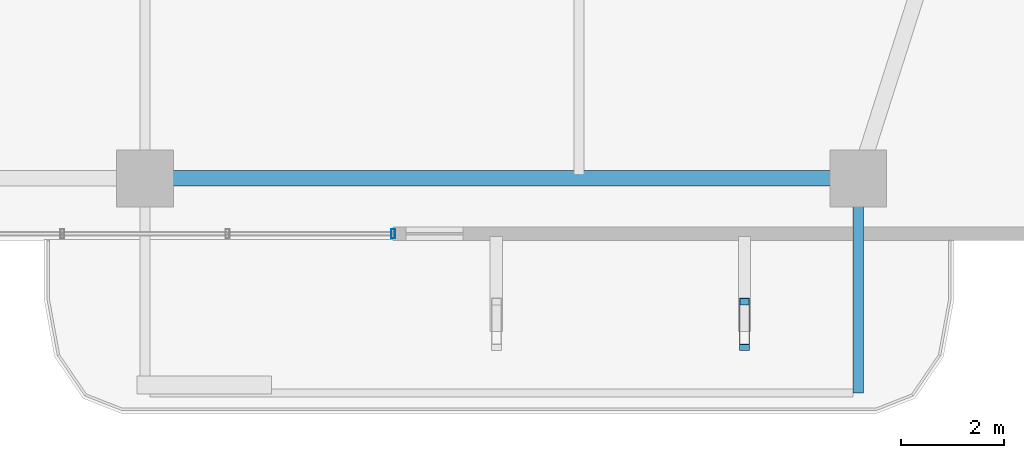
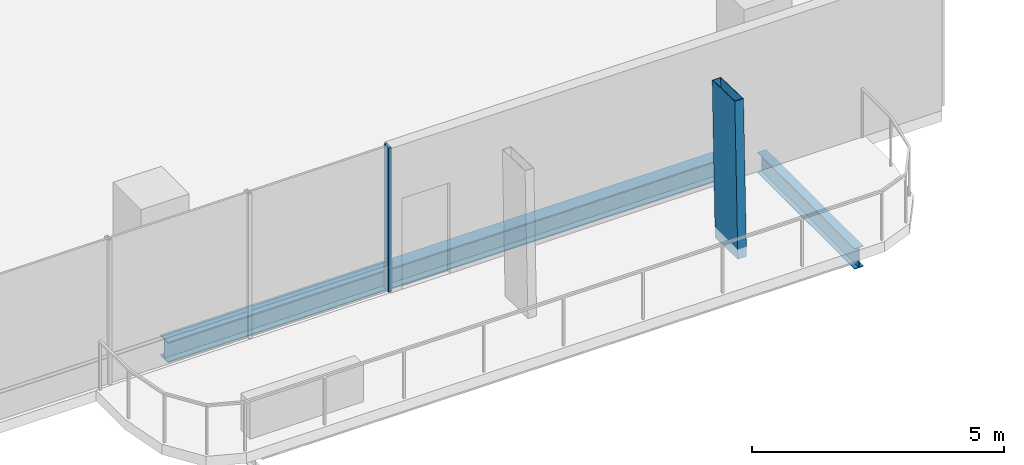
# One storey, part 8 of 24: 2 beams, 2 members, 1 element without a shape of its own.
"""IFC4 building model written with IfcOpenShell, lengths in metres."""

from ifc_helpers import new_model, si_unit, direction, frame, origin, origin_2d, place, context, subcontext, project, spatial, hollow_rectangle, i_section, extrude, material, layer, layer_set, material_profile, profile_set, type_object, element, aggregate, save


model = new_model("IFC4")

# Units and contexts
model_context = context("Model", 3, precision=1e-05, world=origin(), true_north=direction((0.0, 1.0)))
body_context = subcontext(model_context, "Body", "Model", "MODEL_VIEW")
ifc_project = project(units=[si_unit("LENGTHUNIT", "METRE"), si_unit("AREAUNIT", "SQUARE_METRE"), si_unit("VOLUMEUNIT", "CUBIC_METRE"), si_unit("PLANEANGLEUNIT", "RADIAN"), si_unit("MASSUNIT", "GRAM", prefix="KILO")], contexts=[model_context])

# Site, building, storey
site_placement = place(None, origin())
site = spatial("IfcSite", under=ifc_project, at=site_placement, CompositionType="ELEMENT")
building_placement = place(site_placement, origin())
building = spatial("IfcBuilding", under=site, at=building_placement, Name="Belovzor Exchange Tower", CompositionType="ELEMENT")
storey_placement = place(building_placement, frame((0.0, 0.0, 145.800048828125)))
storey = spatial("IfcBuildingStorey", under=building, at=storey_placement, Name="L35", CompositionType="ELEMENT", Elevation=145.800048828125)

# Beam
ifc_material_1 = material(Name="Steel S355", Category="steel")
ifc_material_profile_1 = material_profile(ifc_material_1, i_section(OverallWidth=0.199951171875, OverallDepth=0.5, WebThickness=0.01025390625, FlangeThickness=0.01611328125, at=origin_2d()))
ifc_profile_set_1 = profile_set([ifc_material_profile_1], Name="Steel S355")
beam_type_1 = type_object("IfcBeamType", Name="Planted Balcony Cantilever Beam IPE 500", PredefinedType="BEAM", material=ifc_profile_set_1)
beam_1_placement = place(storey_placement, frame((42.60009765625, 5.39697265625, -0.505126953125), z_axis=(0.0, -1.0, 0.0), x_axis=(1.0, 0.0, 0.0)))
element("IfcBeam", 1, at=beam_1_placement, inside=storey, type_object=beam_type_1, Name="BC-500 Planted Balcony Cantilever Beam IPE 500", PredefinedType="BEAM", context=body_context, shape_type="SweptSolid", body=[
    extrude(i_section(OverallWidth=0.199951171875, OverallDepth=0.5, WebThickness=0.01025390625, FlangeThickness=0.01611328125, at=origin_2d()), origin(), (0.0, 0.0, 1.0), 3.849853515625),
])

# Member
ifc_material_2 = material(Name="Extruded Architectural Terracotta on Steel S355 Carrier", Category="masonry")
ifc_material_profile_2 = material_profile(ifc_material_2, hollow_rectangle(XDim=0.199951171875, YDim=0.89990234375, WallThickness=0.011962890625, at=origin_2d()))
ifc_profile_set_2 = profile_set([ifc_material_profile_2], Name="Extruded Architectural Terracotta on Steel S355 Carrier")
member_type_1 = type_object("IfcMemberType", Name="Sweeping Terracotta Baguette Fin Assembly 1250", PredefinedType="USERDEFINED", material=ifc_profile_set_2)
member_1_placement = place(storey_placement, frame((40.39990234375, 2.81689453125, -0.255126953125), z_axis=(0.0, 0.031754810947, 0.999495688826), x_axis=(-1.0, 0.0, 0.0)))
element("IfcMember", 2, at=member_1_placement, inside=storey, type_object=member_type_1, Name="FIN-TC125 Terracotta Facade Fin L35 S4", ObjectType="FIN", PredefinedType="USERDEFINED", context=body_context, shape_type="SweptSolid", body=[
    extrude(hollow_rectangle(XDim=0.199951171875, YDim=0.89990234375, WallThickness=0.011962890625, at=origin_2d()), origin(), (0.0, 0.0, 1.0), 3.751953125),
])

# Curtain wall, member
ifc_material_3 = material(Name="Anodised Aluminium Framing", Category="aluminium")
ifc_layer = layer(ifc_material_3, 0.179931640625)
ifc_layer_set = layer_set([ifc_layer], Name="Anodised Aluminium Framing")
curtain_wall_type = type_object("IfcCurtainWallType", Name="Recessed Loggia Low-Iron Triple-Glazed Curtain Wall", PredefinedType="NOTDEFINED", material=ifc_layer_set)
curtain_wall_placement = place(storey_placement, origin())
curtain_wall = element("IfcCurtainWall", 3, at=curtain_wall_placement, inside=storey, type_object=curtain_wall_type, Name="CW3 Recessed Loggia Low-Iron Triple-Glazed Curtain Wall L35", PredefinedType="NOTDEFINED")
ifc_material_4 = material(Name="Steel S355", Category="steel")
ifc_material_profile_3 = material_profile(ifc_material_4, hollow_rectangle(XDim=0.074951171875, YDim=0.179931640625, WallThickness=0.0048828125, at=origin_2d()))
ifc_profile_set_3 = profile_set([ifc_material_profile_3], Name="Steel S355")
member_type_2 = type_object("IfcMemberType", Name="Thermally Broken Curtain Wall Mullion 180x75", PredefinedType="MULLION", material=ifc_profile_set_3)
member_2_placement = place(storey_placement, frame((33.60009765625, 4.6298828125, 0.0), z_axis=(0.0, 0.0, 1.0), x_axis=(-1.0, 0.0, 0.0)))
member_2 = element("IfcMember", 4, at=member_2_placement, type_object=member_type_2, Name="CW-M180 Curtain Wall Mullion 1", PredefinedType="MULLION", context=body_context, shape_type="SweptSolid", body=[
    extrude(hollow_rectangle(XDim=0.074951171875, YDim=0.179931640625, WallThickness=0.0048828125, at=origin_2d()), origin(), (0.0, 0.0, 1.0), 3.494873046875),
])
aggregate(curtain_wall, [member_2])

# Beam
ifc_material_5 = material(Name="Steel S355", Category="steel")
ifc_material_profile_4 = material_profile(ifc_material_5, i_section(OverallWidth=0.300048828125, OverallDepth=0.5, WebThickness=0.014404296875, FlangeThickness=0.028076171875, at=origin_2d()))
ifc_profile_set_4 = profile_set([ifc_material_profile_4], Name="Steel S355")
beam_type_2 = type_object("IfcBeamType", Name="Zone 3 Waist Primary Girder HEB 500", PredefinedType="BEAM", material=ifc_profile_set_4)
beam_2_placement = place(storey_placement, frame((29.10205078125, 5.699951171875, -0.505126953125), z_axis=(1.0, 0.0, 0.0), x_axis=(0.0, 1.0, 0.0)))
element("IfcBeam", 5, at=beam_2_placement, inside=storey, type_object=beam_type_2, Name="FG-Z3 Zone 3 Waist Primary Girder HEB 500", PredefinedType="BEAM", context=body_context, shape_type="SweptSolid", body=[
    extrude(i_section(OverallWidth=0.300048828125, OverallDepth=0.5, WebThickness=0.014404296875, FlangeThickness=0.028076171875, at=origin_2d()), origin(), (0.0, 0.0, 1.0), 13.195068359375),
])

save(model, "model.ifc")
